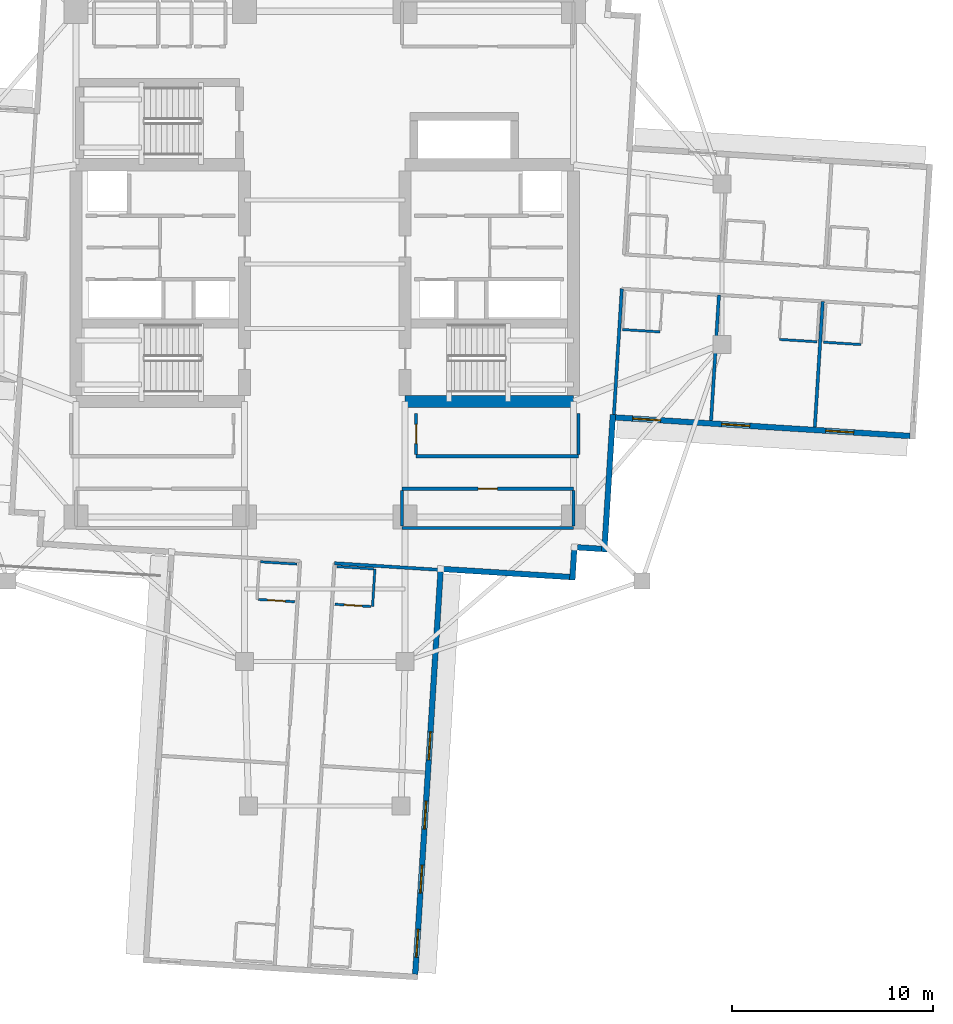
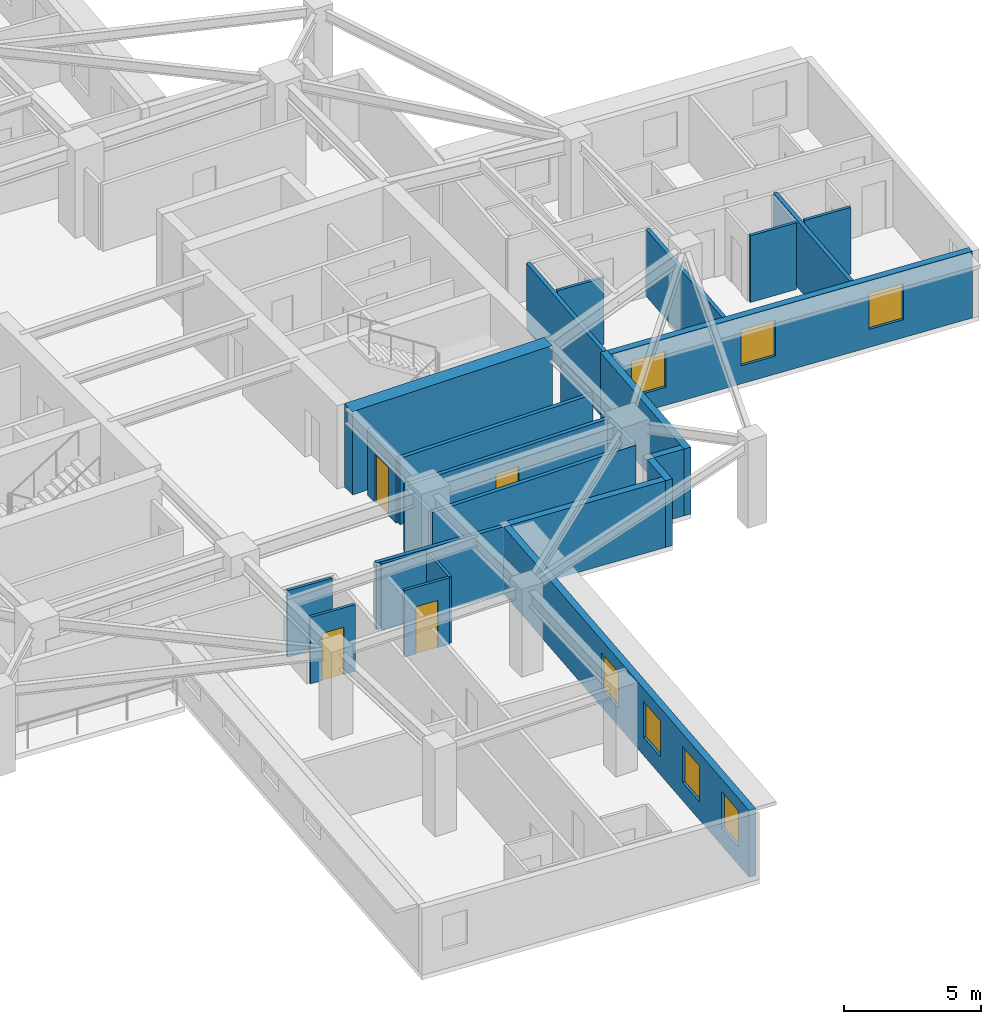
# One storey, part 4 of 14: 26 walls, 7 windows, 4 doors, 11 openings.
"""IFC4 building model written with IfcOpenShell, lengths in metres."""

from ifc_helpers import new_model, si_unit, direction, frame, frame_2d, origin, place, context, subcontext, project, spatial, rectangle, extrude, material, layer, layer_set, type_object, element, fill, save


model = new_model("IFC4")

# Units and contexts
model_context = context("Model", 3, precision=1e-05, world=origin(), true_north=direction((0.0, 1.0)))
body_context = subcontext(model_context, "Body", "Model", "MODEL_VIEW")
ifc_project = project(units=[si_unit("LENGTHUNIT", "METRE"), si_unit("AREAUNIT", "SQUARE_METRE"), si_unit("VOLUMEUNIT", "CUBIC_METRE"), si_unit("PLANEANGLEUNIT", "RADIAN"), si_unit("MASSUNIT", "GRAM", prefix="KILO")], contexts=[model_context])

# Site, building, storey
site_placement = place(None, origin())
site = spatial("IfcSite", under=ifc_project, at=site_placement, CompositionType="ELEMENT")
building_placement = place(site_placement, origin())
building = spatial("IfcBuilding", under=site, at=building_placement, Name="Qingluan Cross Belvedere", CompositionType="ELEMENT")
storey_placement = place(building_placement, frame((0.0, 0.0, 160.5)))
storey = spatial("IfcBuildingStorey", under=building, at=storey_placement, Name="L40", CompositionType="ELEMENT", Elevation=160.5)

# Walls
ifc_material_1 = material(Name="Concrete C60", Category="concrete")
ifc_layer_1 = layer(ifc_material_1, 0.60009765625, Name="CoreShearWall_600")
ifc_layer_set_1 = layer_set([ifc_layer_1], Name="Concrete C60")
wall_type_1 = type_object("IfcWallType", Name="CoreShearWall_600", PredefinedType="SHEAR", material=ifc_layer_set_1)
wall_1_placement = place(storey_placement, frame((4.0, -6.85009765625, 0.0), z_axis=(0.0, 0.0, 1.0), x_axis=(1.0, 0.0, 0.0)))
element("IfcWall", 1, at=wall_1_placement, inside=storey, type_object=wall_type_1, Name="Split core E shear wall L40-S", PredefinedType="SHEAR", context=body_context, shape_type="SweptSolid", body=[
    extrude(rectangle(XDim=8.39990234375, YDim=0.60009765625, at=frame_2d((4.199951171875, 0.0))), origin(), (0.0, 0.0, 1.0), 3.699951171875),
])
ifc_material_2 = material(Name="Gypsum plasterboard on steel stud acoustic partition", Category="steel")
ifc_layer_2 = layer(ifc_material_2, 0.159912109375, Name="CorridorPartition_160")
ifc_layer_set_2 = layer_set([ifc_layer_2], Name="Gypsum plasterboard on steel stud acoustic partition")
wall_type_2 = type_object("IfcWallType", Name="CorridorPartition_160", PredefinedType="PARTITIONING", material=ifc_layer_set_2)
wall_2_placement = place(storey_placement, frame((3.85009765625, -13.14990234375, 0.0), z_axis=(0.0, 0.0, 1.0), x_axis=(1.0, 0.0, 0.0)))
element("IfcWall", 2, at=wall_2_placement, inside=storey, type_object=wall_type_2, Name="Partition L40:q_se:S", PredefinedType="PARTITIONING", context=body_context, shape_type="SweptSolid", body=[
    extrude(rectangle(XDim=8.5498046875, YDim=0.159912109375, at=frame_2d((4.27490234375, 0.0))), origin(), (0.0, 0.0, 1.0), 2.9599609375),
])

# Wall, opening, door
wall_3_placement = place(storey_placement, frame((3.85009765625, -11.199951171875, 0.0), z_axis=(0.0, 0.0, 1.0), x_axis=(1.0, 0.0, 0.0)))
wall_3 = element("IfcWall", 3, at=wall_3_placement, inside=storey, type_object=wall_type_2, Name="Partition L40:q_se:N", PredefinedType="PARTITIONING", context=body_context, shape_type="SweptSolid", body=[
    extrude(rectangle(XDim=8.5498046875, YDim=0.159912109375, at=frame_2d((4.27490234375, 0.0))), origin(), (0.0, 0.0, 1.0), 2.9599609375),
])
opening_1_placement = place(wall_3_placement, frame((3.794921875, 0.0, 0.0)))
opening_1 = element("IfcOpeningElement", 4, at=opening_1_placement, cuts=wall_3, Name="Opening GD-10", PredefinedType="OPENING", context=body_context, shape_type="SweptSolid", body=[
    extrude(rectangle(XDim=0.9599609375, YDim=2.14990234375, at=frame_2d((0.47998046875, 1.074951171875))), frame((0.0, 0.08984375, 0.0), z_axis=(0.0, -1.0, 0.0), x_axis=(1.0, 0.0, 0.0)), (0.0, 0.0, 1.0), 0.179931640625),
])
ifc_material_3 = material(Name="Timber oak fire-rated acoustic guestroom door", Category="wood")
door_type_1 = type_object("IfcDoorType", Name="GuestEntryDoor_FD60", OperationType="NOTDEFINED", PredefinedType="DOOR", material=ifc_material_3)
door_1_placement = place(opening_1_placement, origin())
door_1 = element("IfcDoor", 5, at=door_1_placement, inside=storey, type_object=door_type_1, Name="Club cocktail lounge L40 door", OperationType="SINGLE_SWING_LEFT", OverallHeight=2.14990234375, OverallWidth=0.9599609375, PredefinedType="DOOR", context=body_context, shape_type="SweptSolid", body=[
    extrude(rectangle(XDim=0.9599609375, YDim=2.14990234375, at=frame_2d((0.47998046875, 1.074951171875))), frame((0.0, 0.02490234375, 0.0), z_axis=(0.0, -1.0, 0.0), x_axis=(1.0, 0.0, 0.0)), (0.0, 0.0, 1.0), 0.050048828125),
])
fill(opening_1, door_1)

# Walls
for number, where, z_axis, x_axis, name in (
    (6, (3.85009765625, -13.06494140625, 0.0), (0.0, 0.0, 1.0), (0.0, 1.0, 0.0), "Partition L40:q_se:W"),
    (7, (12.39990234375, -13.06494140625, 0.0), (0.0, 0.0, 1.0), (0.0, 1.0, 0.0), "Partition L40:q_se:E"),
):
    element("IfcWall", number, at=place(storey_placement, frame(where, z_axis=z_axis, x_axis=x_axis)), inside=storey, type_object=wall_type_2, Name=name, PredefinedType="PARTITIONING", context=body_context, shape_type="SweptSolid", body=[
        extrude(rectangle(XDim=1.780029296875, YDim=0.159912109375, at=frame_2d((0.89013671875, 0.0))), origin(), (0.0, 0.0, 1.0), 2.9599609375),
    ])
wall_4_placement = place(storey_placement, frame((4.550048828125, -9.580078125, 0.0), z_axis=(0.0, 0.0, 1.0), x_axis=(1.0, 0.0, 0.0)))
element("IfcWall", 8, at=wall_4_placement, inside=storey, type_object=wall_type_2, Name="Partition L40:rec_st4:S", PredefinedType="PARTITIONING", context=body_context, shape_type="SweptSolid", body=[
    extrude(rectangle(XDim=8.099853515625, YDim=0.159912109375, at=frame_2d((4.0498046875, 0.0))), origin(), (0.0, 0.0, 1.0), 2.9599609375),
])

# Wall, opening, door
wall_5_placement = place(storey_placement, frame((4.550048828125, -9.4951171875, 0.0), z_axis=(0.0, 0.0, 1.0), x_axis=(0.0, 1.0, 0.0)))
wall_5 = element("IfcWall", 9, at=wall_5_placement, inside=storey, type_object=wall_type_2, Name="Partition L40:rec_st4:W", PredefinedType="PARTITIONING", context=body_context, shape_type="SweptSolid", body=[
    extrude(rectangle(XDim=2.06005859375, YDim=0.159912109375, at=frame_2d((1.030029296875, 0.0))), origin(), (0.0, 0.0, 1.0), 2.9599609375),
])
opening_2_placement = place(wall_5_placement, frame((0.550048828125, 0.0, 0.0)))
opening_2 = element("IfcOpeningElement", 10, at=opening_2_placement, cuts=wall_5, Name="Opening GD-10", PredefinedType="OPENING", context=body_context, shape_type="SweptSolid", body=[
    extrude(rectangle(XDim=0.9599609375, YDim=2.14990234375, at=frame_2d((0.47998046875, 1.074951171875))), frame((0.0, 0.08984375, 0.0), z_axis=(0.0, -1.0, 0.0), x_axis=(1.0, 0.0, 0.0)), (0.0, 0.0, 1.0), 0.179931640625),
])
door_2_placement = place(opening_2_placement, origin())
door_2 = element("IfcDoor", 11, at=door_2_placement, inside=storey, type_object=door_type_1, Name="Southeast club library room L40 door", OperationType="SINGLE_SWING_RIGHT", OverallHeight=2.14990234375, OverallWidth=0.9599609375, PredefinedType="DOOR", context=body_context, shape_type="SweptSolid", body=[
    extrude(rectangle(XDim=0.9599609375, YDim=2.14990234375, at=frame_2d((0.47998046875, 1.074951171875))), frame((0.0, 0.02490234375, 0.0), z_axis=(0.0, -1.0, 0.0), x_axis=(1.0, 0.0, 0.0)), (0.0, 0.0, 1.0), 0.050048828125),
])
fill(opening_2, door_2)

# Walls
wall_6_placement = place(storey_placement, frame((12.64990234375, -9.4951171875, 0.0), z_axis=(0.0, 0.0, 1.0), x_axis=(0.0, 1.0, 0.0)))
element("IfcWall", 12, at=wall_6_placement, inside=storey, type_object=wall_type_2, Name="Partition L40:rec_st4:E", PredefinedType="PARTITIONING", context=body_context, shape_type="SweptSolid", body=[
    extrude(rectangle(XDim=2.06005859375, YDim=0.159912109375, at=frame_2d((1.030029296875, 0.0))), origin(), (0.0, 0.0, 1.0), 2.9599609375),
])
wall_7_placement = place(storey_placement, frame((14.802001953125, -1.231689453125, 0.0), z_axis=(0.0, 0.0, 1.0), x_axis=(-0.062824170115, -0.998024610743, 0.0)))
element("IfcWall", 13, at=wall_7_placement, inside=storey, type_object=wall_type_2, Name="Partition L40:E:s1", PredefinedType="PARTITIONING", context=body_context, shape_type="SweptSolid", body=[
    extrude(rectangle(XDim=6.272216796875, YDim=0.159912109375, at=frame_2d((3.13623046875, 0.0))), origin(), (0.0, 0.0, 1.0), 2.9599609375),
])
wall_8_placement = place(storey_placement, frame((19.644287109375, -1.53662109375, 0.0), z_axis=(0.0, 0.0, 1.0), x_axis=(-0.062787838256, -0.998026897116, 0.0)))
element("IfcWall", 14, at=wall_8_placement, inside=storey, type_object=wall_type_2, Name="Partition L40:E:d1_0", PredefinedType="PARTITIONING", context=body_context, shape_type="SweptSolid", body=[
    extrude(rectangle(XDim=6.27197265625, YDim=0.159912109375, at=frame_2d((3.135986328125, 0.0))), origin(), (0.0, 0.0, 1.0), 2.9599609375),
])
wall_9_placement = place(storey_placement, frame((24.815185546875, -1.86181640625, 0.0), z_axis=(0.0, 0.0, 1.0), x_axis=(-0.062824170115, -0.998024610743, 0.0)))
element("IfcWall", 15, at=wall_9_placement, inside=storey, type_object=wall_type_2, Name="Partition L40:E:d1_1", PredefinedType="PARTITIONING", context=body_context, shape_type="SweptSolid", body=[
    extrude(rectangle(XDim=6.272216796875, YDim=0.159912109375, at=frame_2d((3.13623046875, 0.0))), origin(), (0.0, 0.0, 1.0), 2.9599609375),
])
wall_10_placement = place(storey_placement, frame((0.48486328125, -14.909912109375, 0.0), z_axis=(0.0, 0.0, 1.0), x_axis=(0.998027043586, -0.062785510035, 0.0)))
element("IfcWall", 16, at=wall_10_placement, inside=storey, type_object=wall_type_2, Name="Partition L40:S:s0", PredefinedType="PARTITIONING", context=body_context, shape_type="SweptSolid", body=[
    extrude(rectangle(XDim=5.300048828125, YDim=0.159912109375, at=frame_2d((2.64990234375, 0.0))), origin(), (0.0, 0.0, 1.0), 2.9599609375),
])
ifc_material_4 = material(Name="Moisture-resistant gypsum board lining")
ifc_layer_3 = layer(ifc_material_4, 0.1201171875, Name="EnsuiteWetPartition_120")
ifc_layer_set_3 = layer_set([ifc_layer_3], Name="Moisture-resistant gypsum board lining")
wall_type_3 = type_object("IfcWallType", Name="EnsuiteWetPartition_120", PredefinedType="PARTITIONING", material=ifc_layer_set_3)
wall_11_placement = place(storey_placement, frame((14.83447265625, -3.262939453125, 0.0), z_axis=(0.0, 0.0, 1.0), x_axis=(0.998030789148, -0.062725942896, 0.0)))
element("IfcWall", 17, at=wall_11_placement, inside=storey, type_object=wall_type_3, Name="Partition L40:E:bc1_0", PredefinedType="PARTITIONING", context=body_context, shape_type="SweptSolid", body=[
    extrude(rectangle(XDim=1.8798828125, YDim=0.1201171875, at=frame_2d((0.93994140625, 0.0))), origin(), (0.0, 0.0, 1.0), 2.9599609375),
])
wall_12_placement = place(storey_placement, frame((22.65185546875, -3.754638671875, 0.0), z_axis=(0.0, 0.0, 1.0), x_axis=(0.998023163794, -0.062847152131, 0.0)))
element("IfcWall", 18, at=wall_12_placement, inside=storey, type_object=wall_type_3, Name="Partition L40:E:bc1_1", PredefinedType="PARTITIONING", context=body_context, shape_type="SweptSolid", body=[
    extrude(rectangle(XDim=1.880126953125, YDim=0.1201171875, at=frame_2d((0.93994140625, 0.0))), origin(), (0.0, 0.0, 1.0), 2.9599609375),
])
wall_13_placement = place(storey_placement, frame((24.84765625, -3.892822265625, 0.0), z_axis=(0.0, 0.0, 1.0), x_axis=(0.998022650819, -0.062855297722, 0.0)))
element("IfcWall", 19, at=wall_13_placement, inside=storey, type_object=wall_type_3, Name="Partition L40:E:bc1_2", PredefinedType="PARTITIONING", context=body_context, shape_type="SweptSolid", body=[
    extrude(rectangle(XDim=1.8798828125, YDim=0.1201171875, at=frame_2d((0.93994140625, 0.0))), origin(), (0.0, 0.0, 1.0), 2.9599609375),
])

# Wall, opening, door
wall_14_placement = place(storey_placement, frame((0.496337890625, -16.95458984375, 0.0), z_axis=(0.0, 0.0, 1.0), x_axis=(0.998027443946, -0.062779145668, 0.0)))
wall_14 = element("IfcWall", 20, at=wall_14_placement, inside=storey, type_object=wall_type_3, Name="Partition L40:S:bs0_0", PredefinedType="PARTITIONING", context=body_context, shape_type="SweptSolid", body=[
    extrude(rectangle(XDim=1.820068359375, YDim=0.1201171875, at=frame_2d((0.91015625, 0.0))), origin(), (0.0, 0.0, 1.0), 2.9599609375),
])
opening_3_placement = place(wall_14_placement, frame((0.469970703125, 0.0, 0.0)))
opening_3 = element("IfcOpeningElement", 21, at=opening_3_placement, cuts=wall_14, Name="Opening BD-09", PredefinedType="OPENING", context=body_context, shape_type="SweptSolid", body=[
    extrude(rectangle(XDim=0.8798828125, YDim=2.10009765625, at=frame_2d((0.43994140625, 1.050048828125))), frame((0.0, 0.070068359375, 0.0), z_axis=(0.0, -1.0, 0.0), x_axis=(1.0, 0.0, 0.0)), (0.0, 0.0, 1.0), 0.14013671875),
])
ifc_material_5 = material(Name="Moisture-sealed timber en-suite door", Category="wood")
door_type_2 = type_object("IfcDoorType", Name="BathroomDoor_880", OperationType="NOTDEFINED", PredefinedType="DOOR", material=ifc_material_5)
door_3_placement = place(opening_3_placement, origin())
door_3 = element("IfcDoor", 22, at=door_3_placement, inside=storey, type_object=door_type_2, Name="Bathroom door 4017", OperationType="SINGLE_SWING_LEFT", OverallHeight=2.10009765625, OverallWidth=0.8798828125, PredefinedType="DOOR", context=body_context, shape_type="SweptSolid", body=[
    extrude(rectangle(XDim=0.8798828125, YDim=2.10009765625, at=frame_2d((0.43994140625, 1.050048828125))), frame((0.0, 0.02490234375, 0.0), z_axis=(0.0, -1.0, 0.0), x_axis=(1.0, 0.0, 0.0)), (0.0, 0.0, 1.0), 0.050048828125),
])
fill(opening_3, door_3)

# Walls
wall_15_placement = place(storey_placement, frame((0.614501953125, -15.078369140625, 0.0), z_axis=(0.0, 0.0, 1.0), x_axis=(0.998027443946, -0.062779145668, 0.0)))
element("IfcWall", 23, at=wall_15_placement, inside=storey, type_object=wall_type_3, Name="Partition L40:S:bw0_0", PredefinedType="PARTITIONING", context=body_context, shape_type="SweptSolid", body=[
    extrude(rectangle(XDim=1.820068359375, YDim=0.1201171875, at=frame_2d((0.91015625, 0.0))), origin(), (0.0, 0.0, 1.0), 2.9599609375),
])
wall_16_placement = place(storey_placement, frame((2.49560546875, -15.19677734375, 0.0), z_axis=(0.0, 0.0, 1.0), x_axis=(-0.062725942896, -0.998030789148, 0.0)))
element("IfcWall", 24, at=wall_16_placement, inside=storey, type_object=wall_type_3, Name="Partition L40:S:bn0_0", PredefinedType="PARTITIONING", context=body_context, shape_type="SweptSolid", body=[
    extrude(rectangle(XDim=1.8798828125, YDim=0.1201171875, at=frame_2d((0.93994140625, 0.0))), origin(), (0.0, 0.0, 1.0), 2.9599609375),
])

# Wall, opening, door
wall_17_placement = place(storey_placement, frame((-3.316162109375, -16.71484375, 0.0), z_axis=(0.0, 0.0, 1.0), x_axis=(0.998027443946, -0.062779145668, 0.0)))
wall_17 = element("IfcWall", 25, at=wall_17_placement, inside=storey, type_object=wall_type_3, Name="Partition L40:S:bs1_0", PredefinedType="PARTITIONING", context=body_context, shape_type="SweptSolid", body=[
    extrude(rectangle(XDim=1.820068359375, YDim=0.1201171875, at=frame_2d((0.91015625, 0.0))), origin(), (0.0, 0.0, 1.0), 2.9599609375),
])
opening_4_placement = place(wall_17_placement, frame((0.469970703125, 0.0, 0.0)))
opening_4 = element("IfcOpeningElement", 26, at=opening_4_placement, cuts=wall_17, Name="Opening BD-09", PredefinedType="OPENING", context=body_context, shape_type="SweptSolid", body=[
    extrude(rectangle(XDim=0.8798828125, YDim=2.10009765625, at=frame_2d((0.43994140625, 1.050048828125))), frame((0.0, 0.070068359375, 0.0), z_axis=(0.0, -1.0, 0.0), x_axis=(1.0, 0.0, 0.0)), (0.0, 0.0, 1.0), 0.14013671875),
])
door_4_placement = place(opening_4_placement, origin())
door_4 = element("IfcDoor", 27, at=door_4_placement, inside=storey, type_object=door_type_2, Name="Bathroom door 4019", OperationType="SINGLE_SWING_LEFT", OverallHeight=2.10009765625, OverallWidth=0.8798828125, PredefinedType="DOOR", context=body_context, shape_type="SweptSolid", body=[
    extrude(rectangle(XDim=0.8798828125, YDim=2.10009765625, at=frame_2d((0.43994140625, 1.050048828125))), frame((0.0, 0.02490234375, 0.0), z_axis=(0.0, -1.0, 0.0), x_axis=(1.0, 0.0, 0.0)), (0.0, 0.0, 1.0), 0.050048828125),
])
fill(opening_4, door_4)

# Wall
wall_18_placement = place(storey_placement, frame((-3.197998046875, -14.83837890625, 0.0), z_axis=(0.0, 0.0, 1.0), x_axis=(0.998019030272, -0.062912758763, 0.0)))
element("IfcWall", 28, at=wall_18_placement, inside=storey, type_object=wall_type_3, Name="Partition L40:S:bw1_0", PredefinedType="PARTITIONING", context=body_context, shape_type="SweptSolid", body=[
    extrude(rectangle(XDim=1.820068359375, YDim=0.1201171875, at=frame_2d((0.91015625, 0.0))), origin(), (0.0, 0.0, 1.0), 2.9599609375),
])

# Wall, openings, windows
ifc_material_6 = material(Name="Precast concrete C45", Category="concrete")
ifc_layer_4 = layer(ifc_material_6, 0.280029296875, Name="PrecastFacadeWall_280")
ifc_layer_set_4 = layer_set([ifc_layer_4], Name="Precast concrete C45")
wall_type_4 = type_object("IfcWallType", Name="PrecastFacadeWall_280", PredefinedType="STANDARD", material=ifc_layer_set_4)
wall_19_placement = place(storey_placement, frame((14.488525390625, -7.644775390625, 0.0), z_axis=(0.0, 0.0, 1.0), x_axis=(0.998026448555, -0.062794967833, 0.0)))
wall_19 = element("IfcWall", 29, at=wall_19_placement, inside=storey, type_object=wall_type_4, Name="Facade wall L40-EA", PredefinedType="STANDARD", context=body_context, shape_type="SweptSolid", body=[
    extrude(rectangle(XDim=14.7001953125, YDim=0.280029296875, at=frame_2d((7.35009765625, 0.0))), origin(), (0.0, 0.0, 1.0), 2.969970703125),
])
opening_5_placement = place(wall_19_placement, frame((0.85009765625, 0.0, 0.800048828125)))
opening_5 = element("IfcOpeningElement", 30, at=opening_5_placement, cuts=wall_19, Name="Opening W-01", PredefinedType="OPENING", context=body_context, shape_type="SweptSolid", body=[
    extrude(rectangle(XDim=1.39990234375, YDim=1.60009765625, at=frame_2d((0.699951171875, 0.800048828125))), frame((0.0, 0.14990234375, 0.0), z_axis=(0.0, -1.0, 0.0), x_axis=(1.0, 0.0, 0.0)), (0.0, 0.0, 1.0), 0.300048828125),
])
opening_6_placement = place(wall_19_placement, frame((5.300048828125, 0.0, 0.800048828125)))
opening_6 = element("IfcOpeningElement", 31, at=opening_6_placement, cuts=wall_19, Name="Opening W-01", PredefinedType="OPENING", context=body_context, shape_type="SweptSolid", body=[
    extrude(rectangle(XDim=1.39990234375, YDim=1.60009765625, at=frame_2d((0.699951171875, 0.800048828125))), frame((0.0, 0.14990234375, 0.0), z_axis=(0.0, -1.0, 0.0), x_axis=(1.0, 0.0, 0.0)), (0.0, 0.0, 1.0), 0.300048828125),
])
opening_7_placement = place(wall_19_placement, frame((10.5, 0.0, 0.800048828125)))
opening_7 = element("IfcOpeningElement", 32, at=opening_7_placement, cuts=wall_19, Name="Opening W-01", PredefinedType="OPENING", context=body_context, shape_type="SweptSolid", body=[
    extrude(rectangle(XDim=1.39990234375, YDim=1.60009765625, at=frame_2d((0.699951171875, 0.800048828125))), frame((0.0, 0.14990234375, 0.0), z_axis=(0.0, -1.0, 0.0), x_axis=(1.0, 0.0, 0.0)), (0.0, 0.0, 1.0), 0.300048828125),
])
ifc_material_7 = material(Name="Thermally broken triple Low-E glass in aluminium frame", Category="aluminium")
window_type = type_object("IfcWindowType", Name="TriRibbonWin_1400x1600", PartitioningType="SINGLE_PANEL", PredefinedType="WINDOW", material=ifc_material_7)
window_1_placement = place(opening_5_placement, origin())
window_1 = element("IfcWindow", 33, at=window_1_placement, inside=storey, type_object=window_type, Name="Ribbon window L40-EA-1", OverallHeight=1.60009765625, OverallWidth=1.39990234375, PartitioningType="SINGLE_PANEL", PredefinedType="WINDOW", context=body_context, shape_type="SweptSolid", body=[
    extrude(rectangle(XDim=1.39990234375, YDim=1.60009765625, at=frame_2d((0.699951171875, 0.800048828125))), frame((0.0, 0.030029296875, 0.0), z_axis=(0.0, -1.0, 0.0), x_axis=(1.0, 0.0, 0.0)), (0.0, 0.0, 1.0), 0.06005859375),
])
fill(opening_5, window_1)
window_2_placement = place(opening_6_placement, origin())
window_2 = element("IfcWindow", 34, at=window_2_placement, inside=storey, type_object=window_type, Name="Ribbon window L40-EA-2", OverallHeight=1.60009765625, OverallWidth=1.39990234375, PartitioningType="SINGLE_PANEL", PredefinedType="WINDOW", context=body_context, shape_type="SweptSolid", body=[
    extrude(rectangle(XDim=1.39990234375, YDim=1.60009765625, at=frame_2d((0.699951171875, 0.800048828125))), frame((0.0, 0.030029296875, 0.0), z_axis=(0.0, -1.0, 0.0), x_axis=(1.0, 0.0, 0.0)), (0.0, 0.0, 1.0), 0.06005859375),
])
fill(opening_6, window_2)
window_3_placement = place(opening_7_placement, origin())
window_3 = element("IfcWindow", 35, at=window_3_placement, inside=storey, type_object=window_type, Name="Ribbon window L40-EA-3", OverallHeight=1.60009765625, OverallWidth=1.39990234375, PartitioningType="SINGLE_PANEL", PredefinedType="WINDOW", context=body_context, shape_type="SweptSolid", body=[
    extrude(rectangle(XDim=1.39990234375, YDim=1.60009765625, at=frame_2d((0.699951171875, 0.800048828125))), frame((0.0, 0.030029296875, 0.0), z_axis=(0.0, -1.0, 0.0), x_axis=(1.0, 0.0, 0.0)), (0.0, 0.0, 1.0), 0.06005859375),
])
fill(opening_7, window_3)

wall_20_placement = place(storey_placement, frame((4.506591796875, -35.392822265625, 0.0), z_axis=(0.0, 0.0, 1.0), x_axis=(0.062784355807, 0.998027116198, 0.0)))
wall_20 = element("IfcWall", 36, at=wall_20_placement, inside=storey, type_object=wall_type_4, Name="Facade wall L40-SB", PredefinedType="STANDARD", context=body_context, shape_type="SweptSolid", body=[
    extrude(rectangle(XDim=20.099853515625, YDim=0.280029296875, at=frame_2d((10.0498046875, 0.0))), origin(), (0.0, 0.0, 1.0), 2.969970703125),
])
opening_8_placement = place(wall_20_placement, frame((0.85009765625, 0.0, 0.800048828125)))
opening_8 = element("IfcOpeningElement", 37, at=opening_8_placement, cuts=wall_20, Name="Opening W-01", PredefinedType="OPENING", context=body_context, shape_type="SweptSolid", body=[
    extrude(rectangle(XDim=1.39990234375, YDim=1.60009765625, at=frame_2d((0.699951171875, 0.800048828125))), frame((0.0, 0.14990234375, 0.0), z_axis=(0.0, -1.0, 0.0), x_axis=(1.0, 0.0, 0.0)), (0.0, 0.0, 1.0), 0.300048828125),
])
opening_9_placement = place(wall_20_placement, frame((4.050048828125, 0.0, 0.800048828125)))
opening_9 = element("IfcOpeningElement", 38, at=opening_9_placement, cuts=wall_20, Name="Opening W-01", PredefinedType="OPENING", context=body_context, shape_type="SweptSolid", body=[
    extrude(rectangle(XDim=1.39990234375, YDim=1.60009765625, at=frame_2d((0.699951171875, 0.800048828125))), frame((0.0, 0.14990234375, 0.0), z_axis=(0.0, -1.0, 0.0), x_axis=(1.0, 0.0, 0.0)), (0.0, 0.0, 1.0), 0.300048828125),
])
opening_10_placement = place(wall_20_placement, frame((7.25, 0.0, 0.800048828125)))
opening_10 = element("IfcOpeningElement", 39, at=opening_10_placement, cuts=wall_20, Name="Opening W-01", PredefinedType="OPENING", context=body_context, shape_type="SweptSolid", body=[
    extrude(rectangle(XDim=1.39990234375, YDim=1.60009765625, at=frame_2d((0.699951171875, 0.800048828125))), frame((0.0, 0.14990234375, 0.0), z_axis=(0.0, -1.0, 0.0), x_axis=(1.0, 0.0, 0.0)), (0.0, 0.0, 1.0), 0.300048828125),
])
opening_11_placement = place(wall_20_placement, frame((10.699951171875, 0.0, 0.800048828125)))
opening_11 = element("IfcOpeningElement", 40, at=opening_11_placement, cuts=wall_20, Name="Opening W-01", PredefinedType="OPENING", context=body_context, shape_type="SweptSolid", body=[
    extrude(rectangle(XDim=1.39990234375, YDim=1.60009765625, at=frame_2d((0.699951171875, 0.800048828125))), frame((0.0, 0.14990234375, 0.0), z_axis=(0.0, -1.0, 0.0), x_axis=(1.0, 0.0, 0.0)), (0.0, 0.0, 1.0), 0.300048828125),
])
window_4_placement = place(opening_8_placement, origin())
window_4 = element("IfcWindow", 41, at=window_4_placement, inside=storey, type_object=window_type, Name="Ribbon window L40-SB-1", OverallHeight=1.60009765625, OverallWidth=1.39990234375, PartitioningType="SINGLE_PANEL", PredefinedType="WINDOW", context=body_context, shape_type="SweptSolid", body=[
    extrude(rectangle(XDim=1.39990234375, YDim=1.60009765625, at=frame_2d((0.699951171875, 0.800048828125))), frame((0.0, 0.030029296875, 0.0), z_axis=(0.0, -1.0, 0.0), x_axis=(1.0, 0.0, 0.0)), (0.0, 0.0, 1.0), 0.06005859375),
])
fill(opening_8, window_4)
window_5_placement = place(opening_9_placement, origin())
window_5 = element("IfcWindow", 42, at=window_5_placement, inside=storey, type_object=window_type, Name="Ribbon window L40-SB-2", OverallHeight=1.60009765625, OverallWidth=1.39990234375, PartitioningType="SINGLE_PANEL", PredefinedType="WINDOW", context=body_context, shape_type="SweptSolid", body=[
    extrude(rectangle(XDim=1.39990234375, YDim=1.60009765625, at=frame_2d((0.699951171875, 0.800048828125))), frame((0.0, 0.030029296875, 0.0), z_axis=(0.0, -1.0, 0.0), x_axis=(1.0, 0.0, 0.0)), (0.0, 0.0, 1.0), 0.06005859375),
])
fill(opening_9, window_5)
window_6_placement = place(opening_10_placement, origin())
window_6 = element("IfcWindow", 43, at=window_6_placement, inside=storey, type_object=window_type, Name="Ribbon window L40-SB-3", OverallHeight=1.60009765625, OverallWidth=1.39990234375, PartitioningType="SINGLE_PANEL", PredefinedType="WINDOW", context=body_context, shape_type="SweptSolid", body=[
    extrude(rectangle(XDim=1.39990234375, YDim=1.60009765625, at=frame_2d((0.699951171875, 0.800048828125))), frame((0.0, 0.030029296875, 0.0), z_axis=(0.0, -1.0, 0.0), x_axis=(1.0, 0.0, 0.0)), (0.0, 0.0, 1.0), 0.06005859375),
])
fill(opening_10, window_6)
window_7_placement = place(opening_11_placement, origin())
window_7 = element("IfcWindow", 44, at=window_7_placement, inside=storey, type_object=window_type, Name="Ribbon window L40-SB-4", OverallHeight=1.60009765625, OverallWidth=1.39990234375, PartitioningType="SINGLE_PANEL", PredefinedType="WINDOW", context=body_context, shape_type="SweptSolid", body=[
    extrude(rectangle(XDim=1.39990234375, YDim=1.60009765625, at=frame_2d((0.699951171875, 0.800048828125))), frame((0.0, 0.030029296875, 0.0), z_axis=(0.0, -1.0, 0.0), x_axis=(1.0, 0.0, 0.0)), (0.0, 0.0, 1.0), 0.06005859375),
])
fill(opening_11, window_7)

# Walls
wall_21_placement = place(storey_placement, frame((14.357666015625, -7.496337890625, 0.0), z_axis=(0.0, 0.0, 1.0), x_axis=(-0.062779317195, -0.998027433156, 0.0)))
element("IfcWall", 45, at=wall_21_placement, inside=storey, type_object=wall_type_4, Name="Corner wall L40-SE1", PredefinedType="STANDARD", context=body_context, shape_type="SweptSolid", body=[
    extrude(rectangle(XDim=6.85986328125, YDim=0.280029296875, at=frame_2d((3.429931640625, 0.0))), origin(), (0.0, 0.0, 1.0), 2.969970703125),
])
wall_22_placement = place(storey_placement, frame((13.7958984375, -14.1943359375, 0.0), z_axis=(0.0, 0.0, 1.0), x_axis=(-0.998023660242, 0.06283926796, 0.0)))
element("IfcWall", 46, at=wall_22_placement, inside=storey, type_object=wall_type_4, Name="Corner wall L40-SE2", PredefinedType="STANDARD", context=body_context, shape_type="SweptSolid", body=[
    extrude(rectangle(XDim=1.219970703125, YDim=0.280029296875, at=frame_2d((0.60986328125, 0.0))), origin(), (0.0, 0.0, 1.0), 2.969970703125),
])
wall_23_placement = place(storey_placement, frame((12.429931640625, -14.24853515625, 0.0), z_axis=(0.0, 0.0, 1.0), x_axis=(-0.062824119533, -0.998024613927, 0.0)))
element("IfcWall", 47, at=wall_23_placement, inside=storey, type_object=wall_type_4, Name="Corner wall L40-SE3", PredefinedType="STANDARD", context=body_context, shape_type="SweptSolid", body=[
    extrude(rectangle(XDim=1.5, YDim=0.280029296875, at=frame_2d((0.75, 0.0))), origin(), (0.0, 0.0, 1.0), 2.969970703125),
])
wall_24_placement = place(storey_placement, frame((12.20458984375, -15.59716796875, 0.0), z_axis=(0.0, 0.0, 1.0), x_axis=(-0.998024885752, 0.062819801181, 0.0)))
element("IfcWall", 48, at=wall_24_placement, inside=storey, type_object=wall_type_4, Name="Corner wall L40-SE4", PredefinedType="STANDARD", context=body_context, shape_type="SweptSolid", body=[
    extrude(rectangle(XDim=6.2998046875, YDim=0.280029296875, at=frame_2d((3.14990234375, 0.0))), origin(), (0.0, 0.0, 1.0), 2.969970703125),
])

save(model, "model.ifc")
